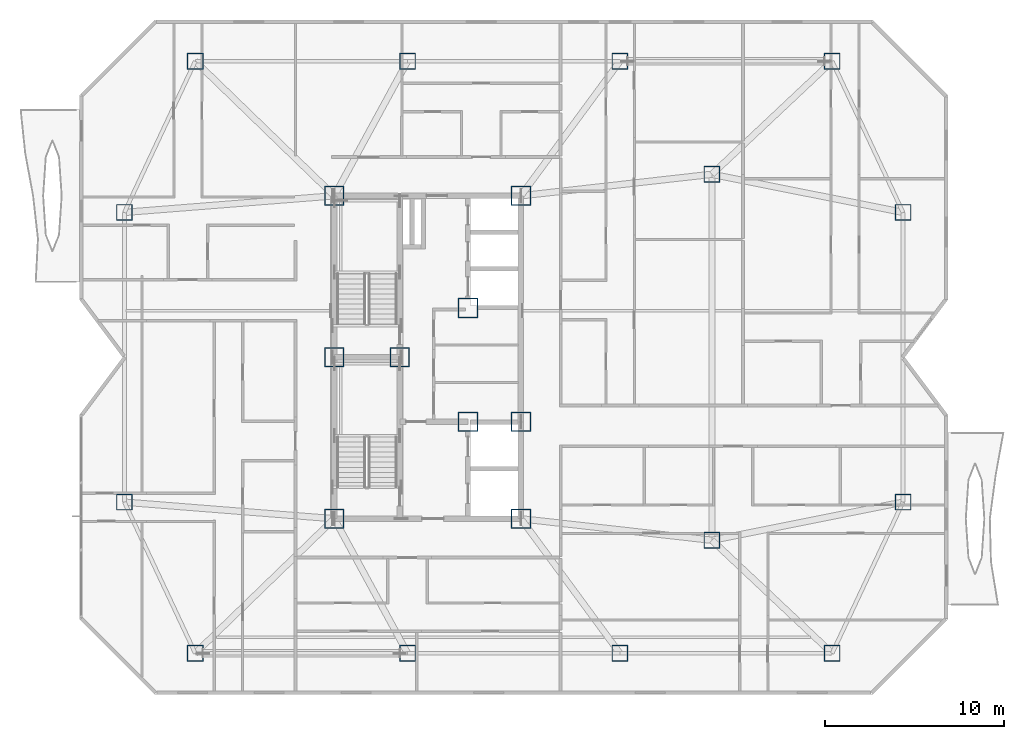
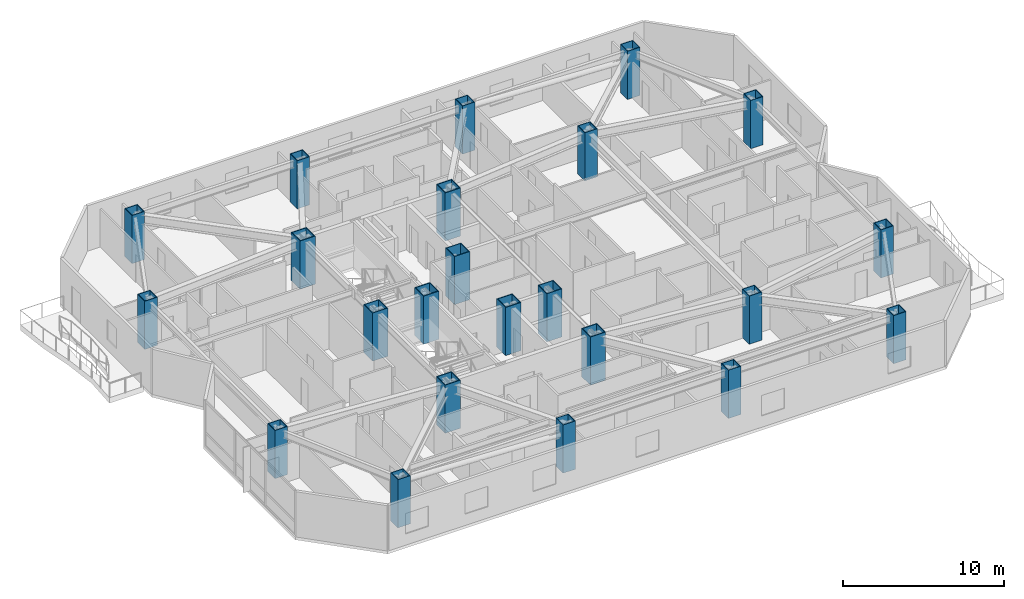
# One storey, part 1 of 17: 23 columns.
"""IFC4 building model written with IfcOpenShell, lengths in metres."""

from ifc_helpers import new_model, si_unit, direction, frame, origin, origin_2d, place, context, subcontext, project, spatial, hollow_rectangle, extrude, material, material_profile, profile_set, type_object, element, save


model = new_model("IFC4")

# Units and contexts
model_context = context("Model", 3, precision=1e-05, world=origin(), true_north=direction((0.0, 1.0)))
body_context = subcontext(model_context, "Body", "Model", "MODEL_VIEW")
ifc_project = project(units=[si_unit("LENGTHUNIT", "METRE"), si_unit("AREAUNIT", "SQUARE_METRE"), si_unit("VOLUMEUNIT", "CUBIC_METRE"), si_unit("PLANEANGLEUNIT", "RADIAN"), si_unit("MASSUNIT", "GRAM", prefix="KILO")], contexts=[model_context])

# Site, building, storey
site_placement = place(None, origin())
site = spatial("IfcSite", under=ifc_project, at=site_placement, CompositionType="ELEMENT")
building_placement = place(site_placement, origin())
building = spatial("IfcBuilding", under=site, at=building_placement, Name="Khamvora Tower", CompositionType="ELEMENT")
storey_placement = place(building_placement, frame((0.0, 0.0, 192.39990234375)))
storey = spatial("IfcBuildingStorey", under=building, at=storey_placement, Name="L49", CompositionType="ELEMENT", Elevation=192.39990234375)

# Columns
ifc_material_1 = material(Name="Steel S460", Category="steel")
ifc_material_profile_1 = material_profile(ifc_material_1, hollow_rectangle(XDim=1.10009765625, YDim=1.10009765625, WallThickness=0.054931640625, at=origin_2d()), Name="BOX1100x1100x55")
ifc_profile_set_1 = profile_set([ifc_material_profile_1], Name="Steel S460")
column_type_1 = type_object("IfcColumnType", Name="COL-BOX1100", PredefinedType="COLUMN", material=ifc_profile_set_1)
for number, where, z_axis, x_axis, name in (
    (1, (29.0, 19.0, 0.0), (0.0, 0.0, 1.0), (1.0, 0.0, 0.0), "L49 plumb core spine column SC1"),
    (2, (32.64990234375, 28.0, 0.0), (0.0, 0.0, 1.0), (1.0, 0.0, 0.0), "L49 plumb core spine column SC2"),
    (3, (39.39990234375, 19.0, 0.0), (0.0, 0.0, 1.0), (1.0, 0.0, 0.0), "L49 plumb core spine column SC3"),
    (4, (29.0, 28.0, 0.0), (0.0, 0.0, 1.0), (1.0, 0.0, 0.0), "L49 plumb core spine column SC4"),
    (5, (36.449951171875, 24.39990234375, 0.0), (0.0, 0.0, 1.0), (1.0, 0.0, 0.0), "L49 plumb core spine column SC5"),
    (6, (39.39990234375, 24.39990234375, 0.0), (0.0, 0.0, 1.0), (1.0, 0.0, 0.0), "L49 plumb core spine column SC6"),
    (7, (29.0, 37.0, 0.0), (0.0, 0.0, 1.0), (1.0, 0.0, 0.0), "L49 plumb core spine column SC7"),
    (8, (36.449951171875, 30.75, 0.0), (0.0, 0.0, 1.0), (1.0, 0.0, 0.0), "L49 plumb core spine column SC8"),
    (9, (39.39990234375, 37.0, 0.0), (0.0, 0.0, 1.0), (1.0, 0.0, 0.0), "L49 plumb core spine column SC9"),
):
    element("IfcColumn", number, at=place(storey_placement, frame(where, z_axis=z_axis, x_axis=x_axis)), inside=storey, type_object=column_type_1, Name=name, PredefinedType="COLUMN", context=body_context, shape_type="SweptSolid", body=[
        extrude(hollow_rectangle(XDim=1.10009765625, YDim=1.10009765625, WallThickness=0.054931640625, at=origin_2d()), origin(), (0.0, 0.0, 1.0), 3.650146484375),
    ])
ifc_material_2 = material(Name="Steel S355", Category="steel")
ifc_material_profile_2 = material_profile(ifc_material_2, hollow_rectangle(XDim=0.89990234375, YDim=0.89990234375, WallThickness=0.044921875, at=origin_2d()), Name="BOX900x900x45")
ifc_profile_set_2 = profile_set([ifc_material_profile_2], Name="Steel S355")
column_type_2 = type_object("IfcColumnType", Name="COL-BOX900", PredefinedType="COLUMN", material=ifc_profile_set_2)
for number, where, z_axis, x_axis, name in (
    (10, (21.25, 11.5, 0.0), (0.0, 0.0, 1.0), (1.0, 0.0, 0.0), "L49 structural frame column S1"),
    (11, (33.0830078125, 11.5, 0.0), (0.0, 0.0, 1.0), (1.0, 0.0, 0.0), "L49 structural frame column S2"),
    (12, (44.9169921875, 11.5, 0.0), (0.0, 0.0, 1.0), (1.0, 0.0, 0.0), "L49 structural frame column S3"),
    (13, (56.75, 11.5, 0.0), (0.0, 0.0, 1.0), (1.0, 0.0, 0.0), "L49 structural frame column S4"),
    (14, (21.25, 44.5, 0.0), (0.0, 0.0, 1.0), (1.0, 0.0, 0.0), "L49 structural frame column N1"),
    (15, (33.0830078125, 44.5, 0.0), (0.0, 0.0, 1.0), (1.0, 0.0, 0.0), "L49 structural frame column N2"),
    (16, (44.9169921875, 44.5, 0.0), (0.0, 0.0, 1.0), (1.0, 0.0, 0.0), "L49 structural frame column N3"),
    (17, (56.75, 44.5, 0.0), (0.0, 0.0, 1.0), (1.0, 0.0, 0.0), "L49 structural frame column N4"),
    (18, (17.300048828125, 19.925048828125, 0.0), (0.0, 0.0, 1.0), (1.0, 0.0, 0.0), "L49 structural frame column W1"),
    (19, (17.300048828125, 36.074951171875, 0.0), (0.0, 0.0, 1.0), (1.0, 0.0, 0.0), "L49 structural frame column W2"),
    (20, (60.699951171875, 19.925048828125, 0.0), (0.0, 0.0, 1.0), (1.0, 0.0, 0.0), "L49 structural frame column E1"),
    (21, (60.699951171875, 36.074951171875, 0.0), (0.0, 0.0, 1.0), (1.0, 0.0, 0.0), "L49 structural frame column E2"),
    (22, (50.050048828125, 17.800048828125, 0.0), (0.0, 0.0, 1.0), (1.0, 0.0, 0.0), "L49 structural frame column M1"),
    (23, (50.050048828125, 38.199951171875, 0.0), (0.0, 0.0, 1.0), (1.0, 0.0, 0.0), "L49 structural frame column M2"),
):
    element("IfcColumn", number, at=place(storey_placement, frame(where, z_axis=z_axis, x_axis=x_axis)), inside=storey, type_object=column_type_2, Name=name, PredefinedType="COLUMN", context=body_context, shape_type="SweptSolid", body=[
        extrude(hollow_rectangle(XDim=0.89990234375, YDim=0.89990234375, WallThickness=0.044921875, at=origin_2d()), origin(), (0.0, 0.0, 1.0), 3.650146484375),
    ])

save(model, "model.ifc")
